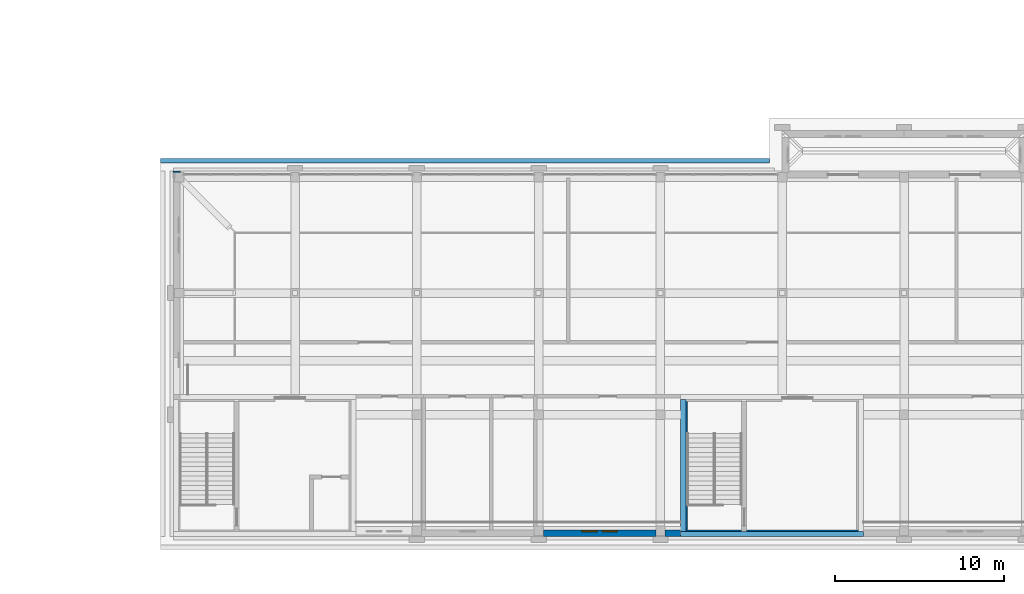
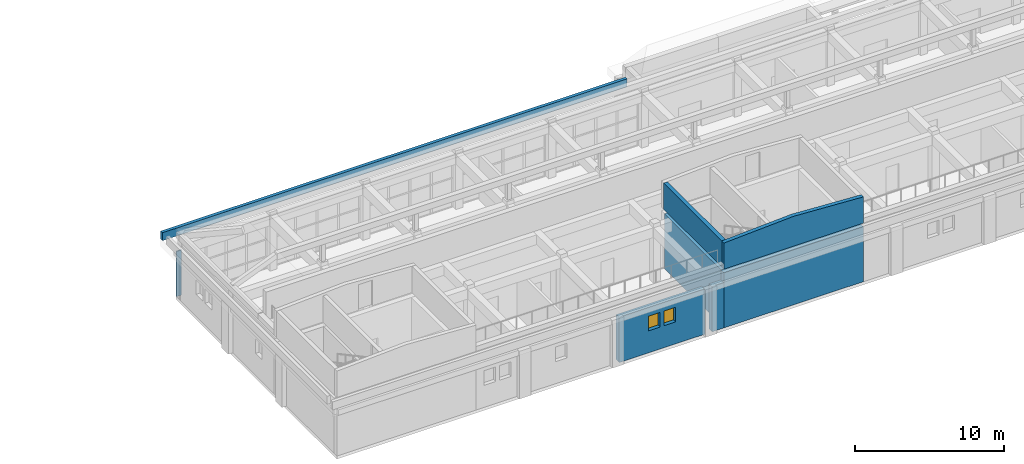
# One storey, part 36 of 48: 8 walls, 2 windows, 2 openings.
"""IFC4 building model written with IfcOpenShell, lengths in metres."""

import ifcopenshell
import ifcopenshell.guid

model = None  # the IFC model being written
_history = None  # IfcOwnerHistory: only IFC2X3 demands one
_inside = {}  # id of a spatial element -> (the spatial element, [elements in it])
_under = {}  # id of a project, library or spatial element -> (it, [spatial elements below it])
_declared = {}  # id of a project -> (the project, [libraries it declares])
_typed = {}  # id of a type object -> (the type object, [elements of that type])
_made_of = {}  # id of a material, layer set ... -> (it, [elements and type objects made of it])


def new_model(schema):
    """Start an empty IFC model of exactly this schema.

    Asked for "IFC4X3", IfcOpenShell would pick the latest addendum, in which some entities
    have other attributes; the version numbers below select the first issue.
    IFC2X3 requires an IfcOwnerHistory on every rooted entity: one is made here for all.
    """
    global model, _history
    if schema == "IFC4X3":
        model = ifcopenshell.file(schema_version=(4, 3, 0, 0))
    else:
        model = ifcopenshell.file(schema=schema)
    _inside.clear()
    _under.clear()
    _declared.clear()
    _typed.clear()
    _made_of.clear()
    _history = None
    if model.schema == "IFC2X3":
        org = make("IfcOrganization", Name="unknown")
        user = make(
            "IfcPersonAndOrganization",
            ThePerson=make("IfcPerson", FamilyName="unknown"),
            TheOrganization=org,
        )
        app = make(
            "IfcApplication",
            ApplicationDeveloper=org,
            Version="unknown",
            ApplicationFullName="unknown",
            ApplicationIdentifier="unknown",
        )
        _history = make(
            "IfcOwnerHistory",
            OwningUser=user,
            OwningApplication=app,
            ChangeAction="ADDED",
            CreationDate=0,
        )
    return model


def make(cls, **values):
    """One entity of the class cls with the attributes given. An attribute that is None is left unset."""
    return model.create_entity(
        cls, **{name: value for name, value in values.items() if value is not None}
    )


def rooted(cls, **values):
    """An entity with a GlobalId (a new one), such as an element, a storey or a relation."""
    return make(cls, GlobalId=ifcopenshell.guid.new(), OwnerHistory=_history, **values)


def si_unit(unit_type, name, prefix=None):
    """IfcSIUnit, for example si_unit("LENGTHUNIT", "METRE", prefix="MILLI")."""
    return make("IfcSIUnit", UnitType=unit_type, Prefix=prefix, Name=name)


def assignment(units):
    """IfcUnitAssignment: the units of a project."""
    return None if units is None else make("IfcUnitAssignment", Units=units)


def point(xyz):
    """IfcCartesianPoint."""
    return None if xyz is None else make("IfcCartesianPoint", Coordinates=xyz)


def direction(xyz):
    """IfcDirection."""
    return None if xyz is None else make("IfcDirection", DirectionRatios=xyz)


def frame(location, z_axis=None, x_axis=None):
    """IfcAxis2Placement3D, a coordinate frame: its origin and axes. An axis left out is left unset."""
    return make(
        "IfcAxis2Placement3D",
        Location=point(location),
        Axis=direction(z_axis),
        RefDirection=direction(x_axis),
    )


def frame_2d(location, x_axis=None):
    """IfcAxis2Placement2D, a coordinate frame in the plane: its origin and x axis."""
    return make(
        "IfcAxis2Placement2D", Location=point(location), RefDirection=direction(x_axis)
    )


def origin():
    """The frame at (0, 0, 0) with its axes left unset."""
    return frame((0.0, 0.0, 0.0))


def place(relative_to, where):
    """IfcLocalPlacement: puts the frame where relative to a parent placement (None: the world)."""
    return make(
        "IfcLocalPlacement", PlacementRelTo=relative_to, RelativePlacement=where
    )


def context(
    kind, dimensions, precision=None, world=None, true_north=None, identifier=None
):
    """IfcGeometricRepresentationContext, for example the 3D "Model" context."""
    return make(
        "IfcGeometricRepresentationContext",
        ContextIdentifier=identifier,
        ContextType=kind,
        CoordinateSpaceDimension=dimensions,
        Precision=precision,
        WorldCoordinateSystem=world,
        TrueNorth=true_north,
    )


def subcontext(parent, identifier, kind, view, scale=None):
    """IfcGeometricRepresentationSubContext, for example "Body" below "Model"."""
    return make(
        "IfcGeometricRepresentationSubContext",
        ContextIdentifier=identifier,
        ContextType=kind,
        ParentContext=parent,
        TargetScale=scale,
        TargetView=view,
    )


def project(units=None, contexts=None):
    """IfcProject with its units and contexts."""
    return rooted(
        "IfcProject",
        Name="project",
        RepresentationContexts=contexts,
        UnitsInContext=assignment(units),
    )


def spatial(cls, under=None, at=None, **own):
    """A site, building, storey or space (cls), placed at a placement, below another one or the project."""
    s = rooted(cls, ObjectPlacement=at, **own)
    if under is not None:
        _under.setdefault(under.id(), (under, []))[1].append(s)
    return s


def polyline(points):
    """IfcPolyline through the points."""
    return make("IfcPolyline", Points=[point(p) for p in points])


def profile(cls, at=None, kind="AREA", **sizes):
    """A parametric profile (cls). Its sizes go by their IFC names, for example OverallWidth=200.0."""
    return make(cls, ProfileType=kind, Position=at, **sizes)


def rectangle(**sizes):
    """IfcRectangleProfileDef."""
    return profile("IfcRectangleProfileDef", **sizes)


def outline(outer, holes=None, kind="AREA"):
    """IfcArbitraryClosedProfileDef: a profile drawn as a closed curve; with holes, ...WithVoids."""
    if holes is None:
        return make("IfcArbitraryClosedProfileDef", ProfileType=kind, OuterCurve=outer)
    return make(
        "IfcArbitraryProfileDefWithVoids",
        ProfileType=kind,
        OuterCurve=outer,
        InnerCurves=holes,
    )


def extrude(swept, where, along, depth):
    """IfcExtrudedAreaSolid: the profile swept, set in the frame where, extruded along a direction by depth."""
    return make(
        "IfcExtrudedAreaSolid",
        SweptArea=swept,
        Position=where,
        ExtrudedDirection=direction(along),
        Depth=depth,
    )


def shape(context_of_items, identifier, shape_type, items):
    """IfcShapeRepresentation: the items that make up one representation, for example the "Body"."""
    return make(
        "IfcShapeRepresentation",
        ContextOfItems=context_of_items,
        RepresentationIdentifier=identifier,
        RepresentationType=shape_type,
        Items=items,
    )


def material(Name=None, Category=None):
    """IfcMaterial."""
    return make("IfcMaterial", Name=Name, Category=Category)


def layer(
    of_material, thickness, ventilated=None, Name=None, Category=None, Priority=None
):
    """IfcMaterialLayer: one layer of a wall or slab, of a material (None: an air gap)."""
    return make(
        "IfcMaterialLayer",
        Material=of_material,
        LayerThickness=thickness,
        IsVentilated=ventilated,
        Name=Name,
        Category=Category,
        Priority=Priority,
    )


def layer_set(layers, Name=None):
    """IfcMaterialLayerSet."""
    return make("IfcMaterialLayerSet", MaterialLayers=layers, LayerSetName=Name)


def made_of(thing, what):
    """Note that an element or type object is made of a material, layer set ...; save() writes the relation."""
    if what is not None:
        _made_of.setdefault(what.id(), (what, []))[1].append(thing)
    return thing


def type_object(cls, material=None, **own):
    """A type object (cls), such as IfcWallType, which elements share."""
    return made_of(rooted(cls, **own), material)


def element(
    cls,
    number,
    at=None,
    inside=None,
    cuts=None,
    type_object=None,
    material=None,
    context=None,
    identifier="Body",
    shape_type=None,
    held_by="IfcProductDefinitionShape",
    body=None,
    shapes=None,
    **own,
):
    """One element of the class cls, such as IfcWall. Its Tag is "e" and its number.

    at: its placement. inside: the storey or other place that contains it. cuts: it is an
    opening in that element (IfcRelVoidsElement). A single representation is given by context,
    identifier, shape_type and body (its items); several are given by shapes. held_by: the class
    of the entity that holds the representations. save() writes the other relations.
    """
    e = rooted(cls, Tag="e%d" % number, ObjectPlacement=at, **own)
    if body is not None:
        shapes = [shape(context, identifier, shape_type, body)]
    if shapes is not None:
        e.Representation = make(held_by, Representations=shapes)
    if inside is not None:
        _inside.setdefault(inside.id(), (inside, []))[1].append(e)
    if cuts is not None:
        rooted(
            "IfcRelVoidsElement", RelatingBuildingElement=cuts, RelatedOpeningElement=e
        )
    if type_object is not None:
        _typed.setdefault(type_object.id(), (type_object, []))[1].append(e)
    return made_of(e, material)


def fill(opening, filler):
    """IfcRelFillsElement: the door or window that sits in an opening."""
    return rooted(
        "IfcRelFillsElement",
        RelatingOpeningElement=opening,
        RelatedBuildingElement=filler,
    )


def aggregate(whole, parts):
    """IfcRelAggregates: a whole, such as a stair, and the parts it consists of."""
    return rooted("IfcRelAggregates", RelatingObject=whole, RelatedObjects=parts)


def save(model, path):
    """Write the relations noted so far, then the file.

    IfcRelAggregates (storeys below a building ...), IfcRelContainedInSpatialStructure (elements
    in a storey), IfcRelDefinesByType, IfcRelAssociatesMaterial and IfcRelDeclares: one each for
    every whole, place, type object, material and project.
    """
    for whole, parts in _under.values():
        aggregate(whole, parts)
    for where, things in _inside.values():
        rooted(
            "IfcRelContainedInSpatialStructure",
            RelatedElements=things,
            RelatingStructure=where,
        )
    for kind, things in _typed.values():
        rooted("IfcRelDefinesByType", RelatedObjects=things, RelatingType=kind)
    for what, things in _made_of.values():
        rooted("IfcRelAssociatesMaterial", RelatedObjects=things, RelatingMaterial=what)
    for by, libraries in _declared.values():
        rooted("IfcRelDeclares", RelatingContext=by, RelatedDefinitions=libraries)
    model.write(path)


model = new_model("IFC4")

# Units and contexts
model_context = context("Model", 3, precision=1e-05, world=origin(), true_north=direction((0.0, 1.0)))
body_context = subcontext(model_context, "Body", "Model", "MODEL_VIEW")
ifc_project = project(units=[si_unit("LENGTHUNIT", "METRE"), si_unit("AREAUNIT", "SQUARE_METRE"), si_unit("VOLUMEUNIT", "CUBIC_METRE"), si_unit("PLANEANGLEUNIT", "RADIAN"), si_unit("MASSUNIT", "GRAM", prefix="KILO")], contexts=[model_context])

# Site, building, storey
site_placement = place(None, origin())
site = spatial("IfcSite", under=ifc_project, at=site_placement, CompositionType="ELEMENT")
building_placement = place(site_placement, origin())
building = spatial("IfcBuilding", under=site, at=building_placement, Name="Alderwick Market Hall", CompositionType="ELEMENT")
storey_placement = place(building_placement, frame((0.0, 0.0, 14.39990234375)))
storey = spatial("IfcBuildingStorey", under=building, at=storey_placement, Name="L02", CompositionType="ELEMENT", Elevation=14.39990234375)

# Wall, openings, windows
ifc_material_1 = material(Name="Face brick", Category="masonry")
ifc_layer_1 = layer(ifc_material_1, 0.39990234375)
ifc_layer_set_1 = layer_set([ifc_layer_1], Name="Face brick")
wall_type_1 = type_object("IfcWallType", Name="C Brick Pier Wall 400", PredefinedType="SOLIDWALL", material=ifc_layer_set_1)
wall_1_placement = place(storey_placement, frame((186.925048828125, 7.39990234375, 0.0), z_axis=(0.0, 0.0, 1.0), x_axis=(-1.0, 0.0, 0.0)))
wall_1 = element("IfcWall", 1, at=wall_1_placement, inside=storey, type_object=wall_type_1, Name="C.wall.L02.fac.back.04", PredefinedType="SOLIDWALL", context=body_context, shape_type="SweptSolid", body=[
    extrude(rectangle(XDim=6.650146484375, YDim=0.39990234375, at=frame_2d((3.3251953125, 0.0))), origin(), (0.0, 0.0, 1.0), 3.7001953125),
])
opening_1_placement = place(wall_1_placement, frame((2.27490234375, 0.0, 1.800048828125)))
opening_1 = element("IfcOpeningElement", 2, at=opening_1_placement, cuts=wall_1, Name="Opening C-W060", PredefinedType="OPENING", context=body_context, shape_type="SweptSolid", body=[
    extrude(rectangle(XDim=0.89990234375, YDim=1.199951171875, at=frame_2d((0.449951171875, 0.60009765625))), frame((0.0, 0.2099609375, 0.0), z_axis=(0.0, -1.0, 0.0), x_axis=(1.0, 0.0, 0.0)), (0.0, 0.0, 1.0), 0.419921875),
])
opening_2_placement = place(wall_1_placement, frame((3.47509765625, 0.0, 1.800048828125)))
opening_2 = element("IfcOpeningElement", 3, at=opening_2_placement, cuts=wall_1, Name="Opening C-W061", PredefinedType="OPENING", context=body_context, shape_type="SweptSolid", body=[
    extrude(rectangle(XDim=0.89990234375, YDim=1.199951171875, at=frame_2d((0.449951171875, 0.60009765625))), frame((0.0, 0.2099609375, 0.0), z_axis=(0.0, -1.0, 0.0), x_axis=(1.0, 0.0, 0.0)), (0.0, 0.0, 1.0), 0.419921875),
])
ifc_material_2 = material(Name="Aluminium frame, double glazing", Category="aluminium")
window_type = type_object("IfcWindowType", Name="C Paired Attic Window 900x1200", PartitioningType="SINGLE_PANEL", PredefinedType="WINDOW", material=ifc_material_2)
window_1_placement = place(opening_1_placement, origin())
window_1 = element("IfcWindow", 4, at=window_1_placement, inside=storey, type_object=window_type, Name="C.win.L02.060", OverallHeight=1.199951171875, OverallWidth=0.89990234375, PartitioningType="SINGLE_PANEL", PredefinedType="WINDOW", context=body_context, shape_type="SweptSolid", body=[
    extrude(rectangle(XDim=0.89990234375, YDim=1.199951171875, at=frame_2d((0.449951171875, 0.60009765625))), frame((0.0, -0.090087890625, 0.0), z_axis=(0.0, -1.0, 0.0), x_axis=(1.0, 0.0, 0.0)), (0.0, 0.0, 1.0), 0.06005859375),
])
fill(opening_1, window_1)
window_2_placement = place(opening_2_placement, origin())
window_2 = element("IfcWindow", 5, at=window_2_placement, inside=storey, type_object=window_type, Name="C.win.L02.061", OverallHeight=1.199951171875, OverallWidth=0.89990234375, PartitioningType="SINGLE_PANEL", PredefinedType="WINDOW", context=body_context, shape_type="SweptSolid", body=[
    extrude(rectangle(XDim=0.89990234375, YDim=1.199951171875, at=frame_2d((0.449951171875, 0.60009765625))), frame((0.0, -0.090087890625, 0.0), z_axis=(0.0, -1.0, 0.0), x_axis=(1.0, 0.0, 0.0)), (0.0, 0.0, 1.0), 0.06005859375),
])
fill(opening_2, window_2)

# Walls
wall_2_placement = place(storey_placement, frame((188.39990234375, 7.39990234375, 0.0), z_axis=(0.0, 0.0, 1.0), x_axis=(-1.0, 0.0, 0.0)))
element("IfcWall", 6, at=wall_2_placement, inside=storey, type_object=wall_type_1, Name="C.wall.L02.fac.back.05", PredefinedType="SOLIDWALL", context=body_context, shape_type="SweptSolid", body=[
    extrude(rectangle(XDim=0.9248046875, YDim=0.39990234375, at=frame_2d((0.46240234375, 0.0))), origin(), (0.0, 0.0, 1.0), 3.7001953125),
])
ifc_material_3 = material(Name="Concrete 5000 psi (f'c 35 MPa)", Category="concrete")
ifc_layer_2 = layer(ifc_material_3, 0.39990234375)
ifc_layer_set_2 = layer_set([ifc_layer_2], Name="Concrete 5000 psi (f'c 35 MPa)")
wall_type_2 = type_object("IfcWallType", Name="C Core Wall Concrete 5000 psi 400", PredefinedType="SHEAR", material=ifc_layer_set_2)
wall_3_placement = place(storey_placement, frame((199.199951171875, 7.39990234375, 0.0), z_axis=(0.0, 0.0, 1.0), x_axis=(-1.0, 0.0, 0.0)))
element("IfcWall", 7, at=wall_3_placement, inside=storey, type_object=wall_type_2, Name="C.wall.L02.fac.back.06", PredefinedType="SHEAR", context=body_context, shape_type="SweptSolid", body=[
    extrude(rectangle(XDim=10.800048828125, YDim=0.39990234375, at=frame_2d((5.39990234375, 0.0))), origin(), (0.0, 0.0, 1.0), 4.5),
])
wall_4_placement = place(storey_placement, frame((188.60009765625, 15.199951171875, 0.0), z_axis=(0.0, 0.0, 1.0), x_axis=(0.0, -1.0, 0.0)))
element("IfcWall", 8, at=wall_4_placement, inside=storey, type_object=wall_type_2, Name="C.wall.L02.core.B.west.01", PredefinedType="SHEAR", context=body_context, shape_type="SweptSolid", body=[
    extrude(rectangle(XDim=7.599853515625, YDim=0.39990234375, at=frame_2d((3.7998046875, 0.0))), origin(), (0.0, 0.0, 1.0), 4.5),
])
ifc_material_4 = material(Name="Cast stone 5000 psi", Category="masonry")
ifc_layer_3 = layer(ifc_material_4, 0.25)
ifc_layer_set_3 = layer_set([ifc_layer_3], Name="Cast stone 5000 psi")
wall_type_3 = type_object("IfcWallType", Name="C Cornice Fascia Cast Stone 250x650", PredefinedType="SOLIDWALL", material=ifc_layer_set_3)
wall_5_placement = place(storey_placement, frame((157.64990234375, 29.425048828125, 4.5), z_axis=(0.0, 0.0, 1.0), x_axis=(1.0, 0.0, 0.0)))
element("IfcWall", 9, at=wall_5_placement, inside=storey, type_object=wall_type_3, Name="C.wall.L02.fascia.front.01", PredefinedType="SOLIDWALL", context=body_context, shape_type="SweptSolid", body=[
    extrude(rectangle(XDim=36.0, YDim=0.25, at=frame_2d((18.0, 0.0))), origin(), (0.0, 0.0, 1.0), 0.650146484375),
])
ifc_layer_4 = layer(ifc_material_3, 0.39990234375)
ifc_layer_set_4 = layer_set([ifc_layer_4], Name="Concrete 5000 psi (f'c 35 MPa)")
wall_type_4 = type_object("IfcWallType", Name="C End Shear Wall Concrete 5000 psi 400", PredefinedType="SHEAR", material=ifc_layer_set_4)
wall_6_placement = place(storey_placement, frame((158.60009765625, 28.72509765625, 0.0), z_axis=(0.0, 0.0, 1.0), x_axis=(0.0, 1.0, 0.0)))
element("IfcWall", 10, at=wall_6_placement, inside=storey, type_object=wall_type_4, Name="C.wall.L02.fac.west.01", PredefinedType="SHEAR", context=body_context, shape_type="SweptSolid", body=[
    extrude(rectangle(XDim=0.074951171875, YDim=0.39990234375, at=frame_2d((0.03759765625, 0.0))), origin(), (0.0, 0.0, 1.0), 3.7001953125),
])
ifc_layer_5 = layer(ifc_material_3, 0.300048828125)
ifc_layer_set_5 = layer_set([ifc_layer_5], Name="Concrete 5000 psi (f'c 35 MPa)")
wall_type_5 = type_object("IfcWallType", Name="C Head-house Wall Concrete 5000 psi 300", PredefinedType="SOLIDWALL", material=ifc_layer_set_5)
wall_7_placement = place(storey_placement, frame((188.39990234375, 7.35009765625, 4.800048828125), z_axis=(0.0, 0.0, 1.0), x_axis=(1.0, 0.0, 0.0)))
element("IfcWall", 11, at=wall_7_placement, inside=storey, type_object=wall_type_5, Name="C.wall.L02.head.B.back.01", PredefinedType="SOLIDWALL", context=body_context, shape_type="SweptSolid", body=[
    extrude(outline(polyline([(0.0, 0.0), (10.800048828125, 0.0), (10.800048828125, 2.150146484375), (5.39990234375, 2.449951171875), (0.0, 2.150146484375), (0.0, 0.0)])), frame((0.0, 0.14990234375, 0.0), z_axis=(0.0, -1.0, 0.0), x_axis=(1.0, 0.0, 0.0)), (0.0, 0.0, 1.0), 0.300048828125),
])
wall_8_placement = place(storey_placement, frame((188.550048828125, 15.300048828125, 4.800048828125), z_axis=(0.0, 0.0, 1.0), x_axis=(0.0, -1.0, 0.0)))
element("IfcWall", 12, at=wall_8_placement, inside=storey, type_object=wall_type_5, Name="C.wall.L02.head.B.west.01", PredefinedType="SOLIDWALL", context=body_context, shape_type="SweptSolid", body=[
    extrude(rectangle(XDim=7.800048828125, YDim=0.300048828125, at=frame_2d((3.89990234375, 0.0))), origin(), (0.0, 0.0, 1.0), 2.150146484375),
])

save(model, "model.ifc")
